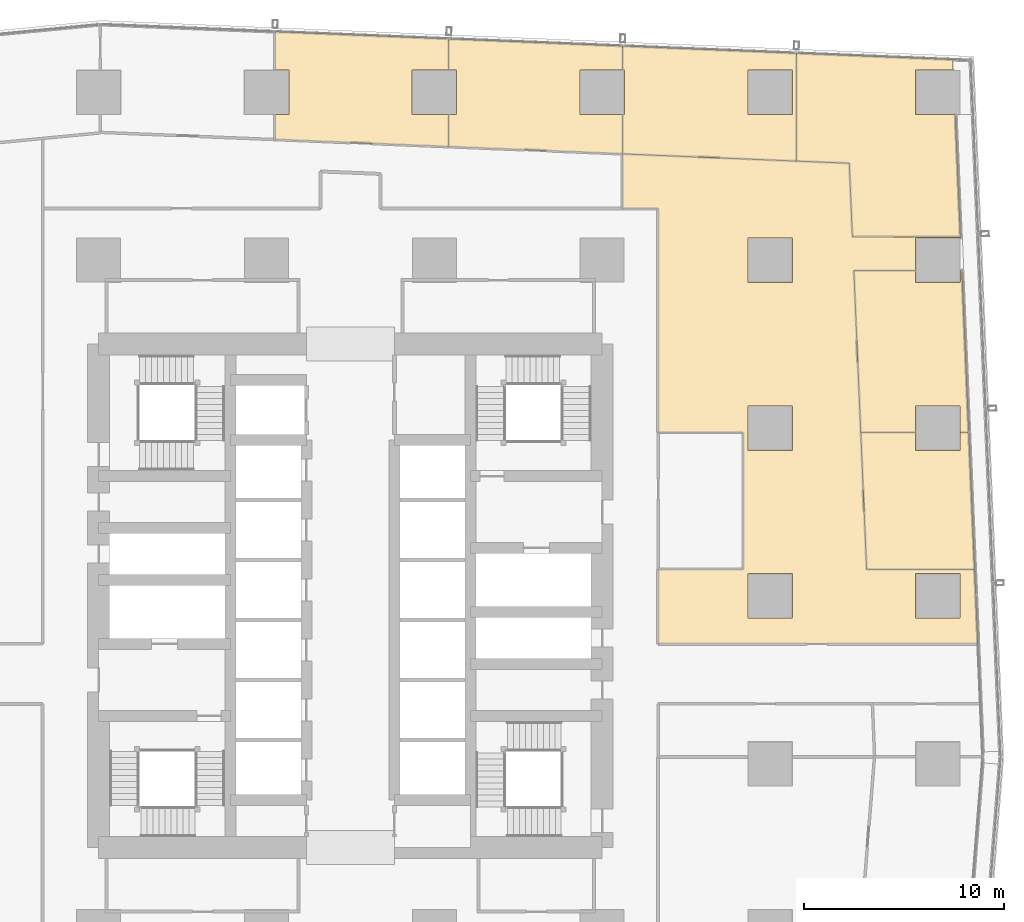
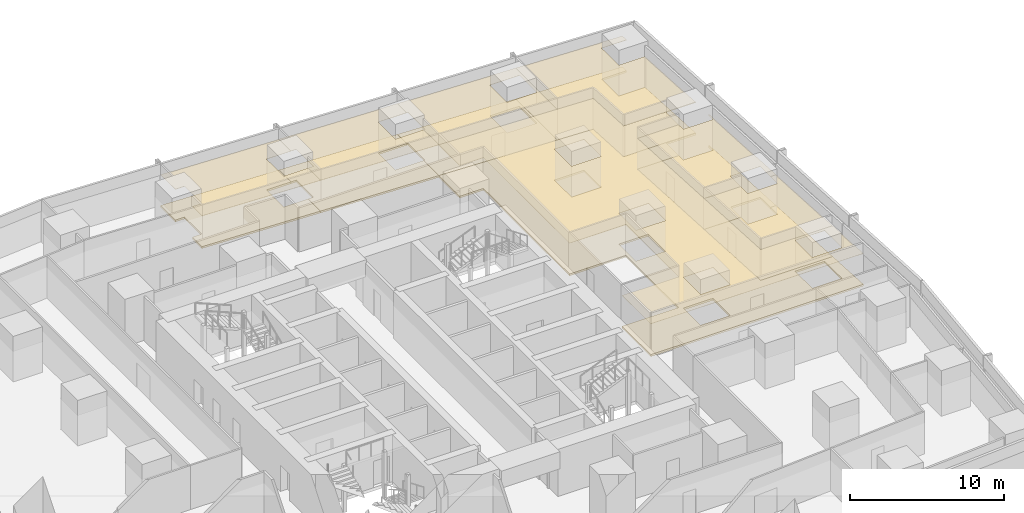
# One storey, part 44 of 44: 14 coverings.
"""IFC4 building model written with IfcOpenShell, lengths in metres."""

import ifcopenshell
import ifcopenshell.guid

model = None  # the IFC model being written
_history = None  # IfcOwnerHistory: only IFC2X3 demands one
_inside = {}  # id of a spatial element -> (the spatial element, [elements in it])
_under = {}  # id of a project, library or spatial element -> (it, [spatial elements below it])
_declared = {}  # id of a project -> (the project, [libraries it declares])
_typed = {}  # id of a type object -> (the type object, [elements of that type])
_made_of = {}  # id of a material, layer set ... -> (it, [elements and type objects made of it])


def new_model(schema):
    """Start an empty IFC model of exactly this schema.

    Asked for "IFC4X3", IfcOpenShell would pick the latest addendum, in which some entities
    have other attributes; the version numbers below select the first issue.
    IFC2X3 requires an IfcOwnerHistory on every rooted entity: one is made here for all.
    """
    global model, _history
    if schema == "IFC4X3":
        model = ifcopenshell.file(schema_version=(4, 3, 0, 0))
    else:
        model = ifcopenshell.file(schema=schema)
    _inside.clear()
    _under.clear()
    _declared.clear()
    _typed.clear()
    _made_of.clear()
    _history = None
    if model.schema == "IFC2X3":
        org = make("IfcOrganization", Name="unknown")
        user = make(
            "IfcPersonAndOrganization",
            ThePerson=make("IfcPerson", FamilyName="unknown"),
            TheOrganization=org,
        )
        app = make(
            "IfcApplication",
            ApplicationDeveloper=org,
            Version="unknown",
            ApplicationFullName="unknown",
            ApplicationIdentifier="unknown",
        )
        _history = make(
            "IfcOwnerHistory",
            OwningUser=user,
            OwningApplication=app,
            ChangeAction="ADDED",
            CreationDate=0,
        )
    return model


def make(cls, **values):
    """One entity of the class cls with the attributes given. An attribute that is None is left unset."""
    return model.create_entity(
        cls, **{name: value for name, value in values.items() if value is not None}
    )


def rooted(cls, **values):
    """An entity with a GlobalId (a new one), such as an element, a storey or a relation."""
    return make(cls, GlobalId=ifcopenshell.guid.new(), OwnerHistory=_history, **values)


def si_unit(unit_type, name, prefix=None):
    """IfcSIUnit, for example si_unit("LENGTHUNIT", "METRE", prefix="MILLI")."""
    return make("IfcSIUnit", UnitType=unit_type, Prefix=prefix, Name=name)


def assignment(units):
    """IfcUnitAssignment: the units of a project."""
    return None if units is None else make("IfcUnitAssignment", Units=units)


def point(xyz):
    """IfcCartesianPoint."""
    return None if xyz is None else make("IfcCartesianPoint", Coordinates=xyz)


def direction(xyz):
    """IfcDirection."""
    return None if xyz is None else make("IfcDirection", DirectionRatios=xyz)


def frame(location, z_axis=None, x_axis=None):
    """IfcAxis2Placement3D, a coordinate frame: its origin and axes. An axis left out is left unset."""
    return make(
        "IfcAxis2Placement3D",
        Location=point(location),
        Axis=direction(z_axis),
        RefDirection=direction(x_axis),
    )


def origin():
    """The frame at (0, 0, 0) with its axes left unset."""
    return frame((0.0, 0.0, 0.0))


def place(relative_to, where):
    """IfcLocalPlacement: puts the frame where relative to a parent placement (None: the world)."""
    return make(
        "IfcLocalPlacement", PlacementRelTo=relative_to, RelativePlacement=where
    )


def context(
    kind, dimensions, precision=None, world=None, true_north=None, identifier=None
):
    """IfcGeometricRepresentationContext, for example the 3D "Model" context."""
    return make(
        "IfcGeometricRepresentationContext",
        ContextIdentifier=identifier,
        ContextType=kind,
        CoordinateSpaceDimension=dimensions,
        Precision=precision,
        WorldCoordinateSystem=world,
        TrueNorth=true_north,
    )


def subcontext(parent, identifier, kind, view, scale=None):
    """IfcGeometricRepresentationSubContext, for example "Body" below "Model"."""
    return make(
        "IfcGeometricRepresentationSubContext",
        ContextIdentifier=identifier,
        ContextType=kind,
        ParentContext=parent,
        TargetScale=scale,
        TargetView=view,
    )


def project(units=None, contexts=None):
    """IfcProject with its units and contexts."""
    return rooted(
        "IfcProject",
        Name="project",
        RepresentationContexts=contexts,
        UnitsInContext=assignment(units),
    )


def spatial(cls, under=None, at=None, **own):
    """A site, building, storey or space (cls), placed at a placement, below another one or the project."""
    s = rooted(cls, ObjectPlacement=at, **own)
    if under is not None:
        _under.setdefault(under.id(), (under, []))[1].append(s)
    return s


def polyline(points):
    """IfcPolyline through the points."""
    return make("IfcPolyline", Points=[point(p) for p in points])


def outline(outer, holes=None, kind="AREA"):
    """IfcArbitraryClosedProfileDef: a profile drawn as a closed curve; with holes, ...WithVoids."""
    if holes is None:
        return make("IfcArbitraryClosedProfileDef", ProfileType=kind, OuterCurve=outer)
    return make(
        "IfcArbitraryProfileDefWithVoids",
        ProfileType=kind,
        OuterCurve=outer,
        InnerCurves=holes,
    )


def extrude(swept, where, along, depth):
    """IfcExtrudedAreaSolid: the profile swept, set in the frame where, extruded along a direction by depth."""
    return make(
        "IfcExtrudedAreaSolid",
        SweptArea=swept,
        Position=where,
        ExtrudedDirection=direction(along),
        Depth=depth,
    )


def shape(context_of_items, identifier, shape_type, items):
    """IfcShapeRepresentation: the items that make up one representation, for example the "Body"."""
    return make(
        "IfcShapeRepresentation",
        ContextOfItems=context_of_items,
        RepresentationIdentifier=identifier,
        RepresentationType=shape_type,
        Items=items,
    )


def material(Name=None, Category=None):
    """IfcMaterial."""
    return make("IfcMaterial", Name=Name, Category=Category)


def layer(
    of_material, thickness, ventilated=None, Name=None, Category=None, Priority=None
):
    """IfcMaterialLayer: one layer of a wall or slab, of a material (None: an air gap)."""
    return make(
        "IfcMaterialLayer",
        Material=of_material,
        LayerThickness=thickness,
        IsVentilated=ventilated,
        Name=Name,
        Category=Category,
        Priority=Priority,
    )


def layer_set(layers, Name=None):
    """IfcMaterialLayerSet."""
    return make("IfcMaterialLayerSet", MaterialLayers=layers, LayerSetName=Name)


def made_of(thing, what):
    """Note that an element or type object is made of a material, layer set ...; save() writes the relation."""
    if what is not None:
        _made_of.setdefault(what.id(), (what, []))[1].append(thing)
    return thing


def type_object(cls, material=None, **own):
    """A type object (cls), such as IfcWallType, which elements share."""
    return made_of(rooted(cls, **own), material)


def element(
    cls,
    number,
    at=None,
    inside=None,
    cuts=None,
    type_object=None,
    material=None,
    context=None,
    identifier="Body",
    shape_type=None,
    held_by="IfcProductDefinitionShape",
    body=None,
    shapes=None,
    **own,
):
    """One element of the class cls, such as IfcWall. Its Tag is "e" and its number.

    at: its placement. inside: the storey or other place that contains it. cuts: it is an
    opening in that element (IfcRelVoidsElement). A single representation is given by context,
    identifier, shape_type and body (its items); several are given by shapes. held_by: the class
    of the entity that holds the representations. save() writes the other relations.
    """
    e = rooted(cls, Tag="e%d" % number, ObjectPlacement=at, **own)
    if body is not None:
        shapes = [shape(context, identifier, shape_type, body)]
    if shapes is not None:
        e.Representation = make(held_by, Representations=shapes)
    if inside is not None:
        _inside.setdefault(inside.id(), (inside, []))[1].append(e)
    if cuts is not None:
        rooted(
            "IfcRelVoidsElement", RelatingBuildingElement=cuts, RelatedOpeningElement=e
        )
    if type_object is not None:
        _typed.setdefault(type_object.id(), (type_object, []))[1].append(e)
    return made_of(e, material)


def aggregate(whole, parts):
    """IfcRelAggregates: a whole, such as a stair, and the parts it consists of."""
    return rooted("IfcRelAggregates", RelatingObject=whole, RelatedObjects=parts)


def save(model, path):
    """Write the relations noted so far, then the file.

    IfcRelAggregates (storeys below a building ...), IfcRelContainedInSpatialStructure (elements
    in a storey), IfcRelDefinesByType, IfcRelAssociatesMaterial and IfcRelDeclares: one each for
    every whole, place, type object, material and project.
    """
    for whole, parts in _under.values():
        aggregate(whole, parts)
    for where, things in _inside.values():
        rooted(
            "IfcRelContainedInSpatialStructure",
            RelatedElements=things,
            RelatingStructure=where,
        )
    for kind, things in _typed.values():
        rooted("IfcRelDefinesByType", RelatedObjects=things, RelatingType=kind)
    for what, things in _made_of.values():
        rooted("IfcRelAssociatesMaterial", RelatedObjects=things, RelatingMaterial=what)
    for by, libraries in _declared.values():
        rooted("IfcRelDeclares", RelatingContext=by, RelatedDefinitions=libraries)
    model.write(path)


model = new_model("IFC4")

# Units and contexts
model_context = context("Model", 3, precision=1e-05, world=origin(), true_north=direction((0.0, 1.0)))
body_context = subcontext(model_context, "Body", "Model", "MODEL_VIEW")
ifc_project = project(units=[si_unit("LENGTHUNIT", "METRE"), si_unit("AREAUNIT", "SQUARE_METRE"), si_unit("VOLUMEUNIT", "CUBIC_METRE"), si_unit("PLANEANGLEUNIT", "RADIAN"), si_unit("MASSUNIT", "GRAM", prefix="KILO")], contexts=[model_context])

# Site, building, storey
site_placement = place(None, origin())
site = spatial("IfcSite", under=ifc_project, at=site_placement, CompositionType="ELEMENT")
building_placement = place(site_placement, origin())
building = spatial("IfcBuilding", under=site, at=building_placement, Name="Rekha Terrace Tower", CompositionType="ELEMENT")
storey_placement = place(building_placement, frame((0.0, 0.0, 66.64990234375)))
storey = spatial("IfcBuildingStorey", under=building, at=storey_placement, Name="L16", CompositionType="ELEMENT", Elevation=66.64990234375)

# Coverings
ifc_material_1 = material(Name="Mineral fibre tile in exposed grid", Category="finish")
ifc_layer_1 = layer(ifc_material_1, 0.02001953125)
ifc_layer_set_1 = layer_set([ifc_layer_1], Name="Mineral fibre tile in exposed grid")
covering_type_1 = type_object("IfcCoveringType", Name="CL1 600x1200 office grid ceiling", PredefinedType="CEILING", material=ifc_layer_set_1)
covering_1_placement = place(storey_placement, frame((0.0, 0.0, 2.580078125)))
element("IfcCovering", 1, at=covering_1_placement, inside=storey, type_object=covering_type_1, Name="Ceiling L16-07", PredefinedType="CEILING", context=body_context, shape_type="SweptSolid", body=[
    extrude(outline(polyline([(63.631103515625, 34.931884765625), (69.035888671875, 34.931884765625), (68.742919921875, 41.781005859375), (68.31494140625, 41.781005859375), (68.31494140625, 40.885009765625), (66.0849609375, 40.885009765625), (66.0849609375, 41.781005859375), (63.337890625, 41.781005859375), (63.631103515625, 34.931884765625)])), origin(), (0.0, 0.0, 1.0), 0.02001953125),
])
covering_2_placement = place(storey_placement, frame((0.0, 0.0, 2.580078125)))
element("IfcCovering", 2, at=covering_2_placement, inside=storey, type_object=covering_type_1, Name="Ceiling L16-08", PredefinedType="CEILING", context=body_context, shape_type="SweptSolid", body=[
    extrude(outline(polyline([(68.31494140625, 41.781982421875), (68.742919921875, 41.781982421875), (68.39697265625, 49.87890625), (68.31494140625, 49.87890625), (68.31494140625, 49.284912109375), (66.0849609375, 49.284912109375), (66.0849609375, 49.87890625), (62.991943359375, 49.87890625), (63.337890625, 41.781982421875), (66.0849609375, 41.781982421875), (66.0849609375, 43.114990234375), (68.31494140625, 43.114990234375), (68.31494140625, 41.781982421875)])), origin(), (0.0, 0.0, 1.0), 0.02001953125),
])
covering_3_placement = place(storey_placement, frame((0.0, 0.0, 2.580078125)))
element("IfcCovering", 3, at=covering_3_placement, inside=storey, type_object=covering_type_1, Name="Ceiling L16-09", PredefinedType="CEILING", context=body_context, shape_type="SweptSolid", body=[
    extrude(outline(polyline([(67.946044921875, 60.443115234375), (60.112060546875, 60.76611328125), (60.112060546875, 55.361083984375), (62.762939453125, 55.251953125), (62.9208984375, 51.556884765625), (68.325927734375, 51.556884765625), (68.06396484375, 57.68505859375), (66.0849609375, 57.68505859375), (66.0849609375, 59.9150390625), (67.968994140625, 59.9150390625), (67.946044921875, 60.443115234375)])), origin(), (0.0, 0.0, 1.0), 0.02001953125),
])
covering_4_placement = place(storey_placement, frame((0.0, 0.0, 2.580078125)))
element("IfcCovering", 4, at=covering_4_placement, inside=storey, type_object=covering_type_1, Name="Ceiling L16-10", PredefinedType="CEILING", context=body_context, shape_type="SweptSolid", body=[
    extrude(outline(polyline([(60.111083984375, 55.361083984375), (60.111083984375, 60.76611328125), (51.416015625, 61.1240234375), (51.416015625, 59.9150390625), (51.514892578125, 59.9150390625), (51.514892578125, 57.68505859375), (51.416015625, 57.68505859375), (51.416015625, 55.719970703125), (60.111083984375, 55.361083984375)]), holes=[polyline([(59.9150390625, 57.68505859375), (57.68505859375, 57.68505859375), (57.68505859375, 59.9150390625), (59.9150390625, 59.9150390625), (59.9150390625, 57.68505859375)])]), origin(), (0.0, 0.0, 1.0), 0.02001953125),
])
covering_5_placement = place(storey_placement, frame((0.0, 0.0, 2.580078125)))
element("IfcCovering", 5, at=covering_5_placement, inside=storey, type_object=covering_type_1, Name="Ceiling L16-O2", PredefinedType="CEILING", context=body_context, shape_type="SweptSolid", body=[
    extrude(outline(polyline([(62.762939453125, 55.251953125), (60.111083984375, 55.361083984375), (51.416015625, 55.719970703125), (51.416015625, 53.0), (53.199951171875, 53.0), (53.199951171875, 41.781005859375), (57.449951171875, 41.781005859375), (57.449951171875, 34.931884765625), (53.199951171875, 34.931884765625), (53.199951171875, 31.199951171875), (69.195068359375, 31.199951171875), (69.091064453125, 33.64990234375), (69.035888671875, 34.931884765625), (63.631103515625, 34.931884765625), (63.3369140625, 41.797119140625), (62.991943359375, 49.87890625), (66.0849609375, 49.87890625), (66.0849609375, 51.514892578125), (68.327880859375, 51.514892578125), (68.325927734375, 51.556884765625), (62.9208984375, 51.556884765625), (62.762939453125, 55.251953125)]), holes=[polyline([(68.31494140625, 32.485107421875), (66.0849609375, 32.485107421875), (66.0849609375, 34.715087890625), (68.31494140625, 34.715087890625), (68.31494140625, 32.485107421875)]), polyline([(59.9150390625, 32.485107421875), (57.68505859375, 32.485107421875), (57.68505859375, 34.715087890625), (59.9150390625, 34.715087890625), (59.9150390625, 32.485107421875)]), polyline([(59.9150390625, 40.885009765625), (57.68505859375, 40.885009765625), (57.68505859375, 43.114990234375), (59.9150390625, 43.114990234375), (59.9150390625, 40.885009765625)]), polyline([(59.9150390625, 49.284912109375), (57.68505859375, 49.284912109375), (57.68505859375, 51.514892578125), (59.9150390625, 51.514892578125), (59.9150390625, 49.284912109375)])]), origin(), (0.0, 0.0, 1.0), 0.02001953125),
])
covering_6_placement = place(storey_placement, frame((0.0, 0.0, 2.580078125)))
element("IfcCovering", 6, at=covering_6_placement, inside=storey, type_object=covering_type_1, Name="Ceiling L16-12", PredefinedType="CEILING", context=body_context, shape_type="SweptSolid", body=[
    extrude(outline(polyline([(51.4150390625, 59.9150390625), (51.4150390625, 61.125), (42.718994140625, 61.48291015625), (42.718994140625, 59.9150390625), (43.114990234375, 59.9150390625), (43.114990234375, 57.68505859375), (42.718994140625, 57.68505859375), (42.718994140625, 56.077880859375), (51.4150390625, 55.719970703125), (51.4150390625, 57.68505859375), (49.284912109375, 57.68505859375), (49.284912109375, 59.9150390625), (51.4150390625, 59.9150390625)])), origin(), (0.0, 0.0, 1.0), 0.02001953125),
])
covering_7_placement = place(storey_placement, frame((0.0, 0.0, 2.580078125)))
element("IfcCovering", 7, at=covering_7_placement, inside=storey, type_object=covering_type_1, Name="Ceiling L16-13", PredefinedType="CEILING", context=body_context, shape_type="SweptSolid", body=[
    extrude(outline(polyline([(42.718017578125, 59.9150390625), (42.718017578125, 61.48291015625), (34.02294921875, 61.841064453125), (34.02294921875, 59.9150390625), (34.715087890625, 59.9150390625), (34.715087890625, 57.68505859375), (34.02294921875, 57.68505859375), (34.02294921875, 56.43701171875), (42.718017578125, 56.077880859375), (42.718017578125, 57.68505859375), (40.885009765625, 57.68505859375), (40.885009765625, 59.9150390625), (42.718017578125, 59.9150390625)])), origin(), (0.0, 0.0, 1.0), 0.02001953125),
])
ifc_material_2 = material(Name="Calcium sulphate panels on steel pedestals", Category="steel")
ifc_layer_2 = layer(ifc_material_2, 0.14990234375)
ifc_layer_set_2 = layer_set([ifc_layer_2], Name="Calcium sulphate panels on steel pedestals")
covering_type_2 = type_object("IfcCoveringType", Name="RF1 150 raised access floor", PredefinedType="FLOORING", material=ifc_layer_set_2)
covering_8_placement = place(storey_placement, origin())
element("IfcCovering", 8, at=covering_8_placement, inside=storey, type_object=covering_type_2, Name="Raised floor L16-07", PredefinedType="FLOORING", context=body_context, shape_type="SweptSolid", body=[
    extrude(outline(polyline([(63.631103515625, 34.931884765625), (69.035888671875, 34.931884765625), (68.742919921875, 41.781005859375), (68.31494140625, 41.781005859375), (68.31494140625, 40.885009765625), (66.0849609375, 40.885009765625), (66.0849609375, 41.781005859375), (63.337890625, 41.781005859375), (63.631103515625, 34.931884765625)])), origin(), (0.0, 0.0, 1.0), 0.150146484375),
])
covering_9_placement = place(storey_placement, origin())
element("IfcCovering", 9, at=covering_9_placement, inside=storey, type_object=covering_type_2, Name="Raised floor L16-08", PredefinedType="FLOORING", context=body_context, shape_type="SweptSolid", body=[
    extrude(outline(polyline([(68.31494140625, 41.781982421875), (68.742919921875, 41.781982421875), (68.39697265625, 49.87890625), (68.31494140625, 49.87890625), (68.31494140625, 49.284912109375), (66.0849609375, 49.284912109375), (66.0849609375, 49.87890625), (62.991943359375, 49.87890625), (63.337890625, 41.781982421875), (66.0849609375, 41.781982421875), (66.0849609375, 43.114990234375), (68.31494140625, 43.114990234375), (68.31494140625, 41.781982421875)])), origin(), (0.0, 0.0, 1.0), 0.150146484375),
])
covering_10_placement = place(storey_placement, origin())
element("IfcCovering", 10, at=covering_10_placement, inside=storey, type_object=covering_type_2, Name="Raised floor L16-09", PredefinedType="FLOORING", context=body_context, shape_type="SweptSolid", body=[
    extrude(outline(polyline([(67.946044921875, 60.443115234375), (60.112060546875, 60.76611328125), (60.112060546875, 55.361083984375), (62.762939453125, 55.251953125), (62.9208984375, 51.556884765625), (68.325927734375, 51.556884765625), (68.06396484375, 57.68505859375), (66.0849609375, 57.68505859375), (66.0849609375, 59.9150390625), (67.968994140625, 59.9150390625), (67.946044921875, 60.443115234375)])), origin(), (0.0, 0.0, 1.0), 0.150146484375),
])
covering_11_placement = place(storey_placement, origin())
element("IfcCovering", 11, at=covering_11_placement, inside=storey, type_object=covering_type_2, Name="Raised floor L16-10", PredefinedType="FLOORING", context=body_context, shape_type="SweptSolid", body=[
    extrude(outline(polyline([(60.111083984375, 55.361083984375), (60.111083984375, 60.76611328125), (51.416015625, 61.1240234375), (51.416015625, 59.9150390625), (51.514892578125, 59.9150390625), (51.514892578125, 57.68505859375), (51.416015625, 57.68505859375), (51.416015625, 55.719970703125), (60.111083984375, 55.361083984375)]), holes=[polyline([(59.9150390625, 57.68505859375), (57.68505859375, 57.68505859375), (57.68505859375, 59.9150390625), (59.9150390625, 59.9150390625), (59.9150390625, 57.68505859375)])]), origin(), (0.0, 0.0, 1.0), 0.150146484375),
])
covering_12_placement = place(storey_placement, origin())
element("IfcCovering", 12, at=covering_12_placement, inside=storey, type_object=covering_type_2, Name="Raised floor L16-O2", PredefinedType="FLOORING", context=body_context, shape_type="SweptSolid", body=[
    extrude(outline(polyline([(62.762939453125, 55.251953125), (60.111083984375, 55.361083984375), (51.416015625, 55.719970703125), (51.416015625, 53.0), (53.199951171875, 53.0), (53.199951171875, 41.781005859375), (57.449951171875, 41.781005859375), (57.449951171875, 34.931884765625), (53.199951171875, 34.931884765625), (53.199951171875, 31.199951171875), (69.195068359375, 31.199951171875), (69.091064453125, 33.64990234375), (69.035888671875, 34.931884765625), (63.631103515625, 34.931884765625), (63.3369140625, 41.797119140625), (62.991943359375, 49.87890625), (66.0849609375, 49.87890625), (66.0849609375, 51.514892578125), (68.327880859375, 51.514892578125), (68.325927734375, 51.556884765625), (62.9208984375, 51.556884765625), (62.762939453125, 55.251953125)]), holes=[polyline([(68.31494140625, 32.485107421875), (66.0849609375, 32.485107421875), (66.0849609375, 34.715087890625), (68.31494140625, 34.715087890625), (68.31494140625, 32.485107421875)]), polyline([(59.9150390625, 32.485107421875), (57.68505859375, 32.485107421875), (57.68505859375, 34.715087890625), (59.9150390625, 34.715087890625), (59.9150390625, 32.485107421875)]), polyline([(59.9150390625, 40.885009765625), (57.68505859375, 40.885009765625), (57.68505859375, 43.114990234375), (59.9150390625, 43.114990234375), (59.9150390625, 40.885009765625)]), polyline([(59.9150390625, 49.284912109375), (57.68505859375, 49.284912109375), (57.68505859375, 51.514892578125), (59.9150390625, 51.514892578125), (59.9150390625, 49.284912109375)])]), origin(), (0.0, 0.0, 1.0), 0.150146484375),
])
covering_13_placement = place(storey_placement, origin())
element("IfcCovering", 13, at=covering_13_placement, inside=storey, type_object=covering_type_2, Name="Raised floor L16-12", PredefinedType="FLOORING", context=body_context, shape_type="SweptSolid", body=[
    extrude(outline(polyline([(51.4150390625, 59.9150390625), (51.4150390625, 61.125), (42.718994140625, 61.48291015625), (42.718994140625, 59.9150390625), (43.114990234375, 59.9150390625), (43.114990234375, 57.68505859375), (42.718994140625, 57.68505859375), (42.718994140625, 56.077880859375), (51.4150390625, 55.719970703125), (51.4150390625, 57.68505859375), (49.284912109375, 57.68505859375), (49.284912109375, 59.9150390625), (51.4150390625, 59.9150390625)])), origin(), (0.0, 0.0, 1.0), 0.150146484375),
])
covering_14_placement = place(storey_placement, origin())
element("IfcCovering", 14, at=covering_14_placement, inside=storey, type_object=covering_type_2, Name="Raised floor L16-13", PredefinedType="FLOORING", context=body_context, shape_type="SweptSolid", body=[
    extrude(outline(polyline([(42.718017578125, 59.9150390625), (42.718017578125, 61.48291015625), (34.02294921875, 61.841064453125), (34.02294921875, 59.9150390625), (34.715087890625, 59.9150390625), (34.715087890625, 57.68505859375), (34.02294921875, 57.68505859375), (34.02294921875, 56.43701171875), (42.718017578125, 56.077880859375), (42.718017578125, 57.68505859375), (40.885009765625, 57.68505859375), (40.885009765625, 59.9150390625), (42.718017578125, 59.9150390625)])), origin(), (0.0, 0.0, 1.0), 0.150146484375),
])

save(model, "model.ifc")
